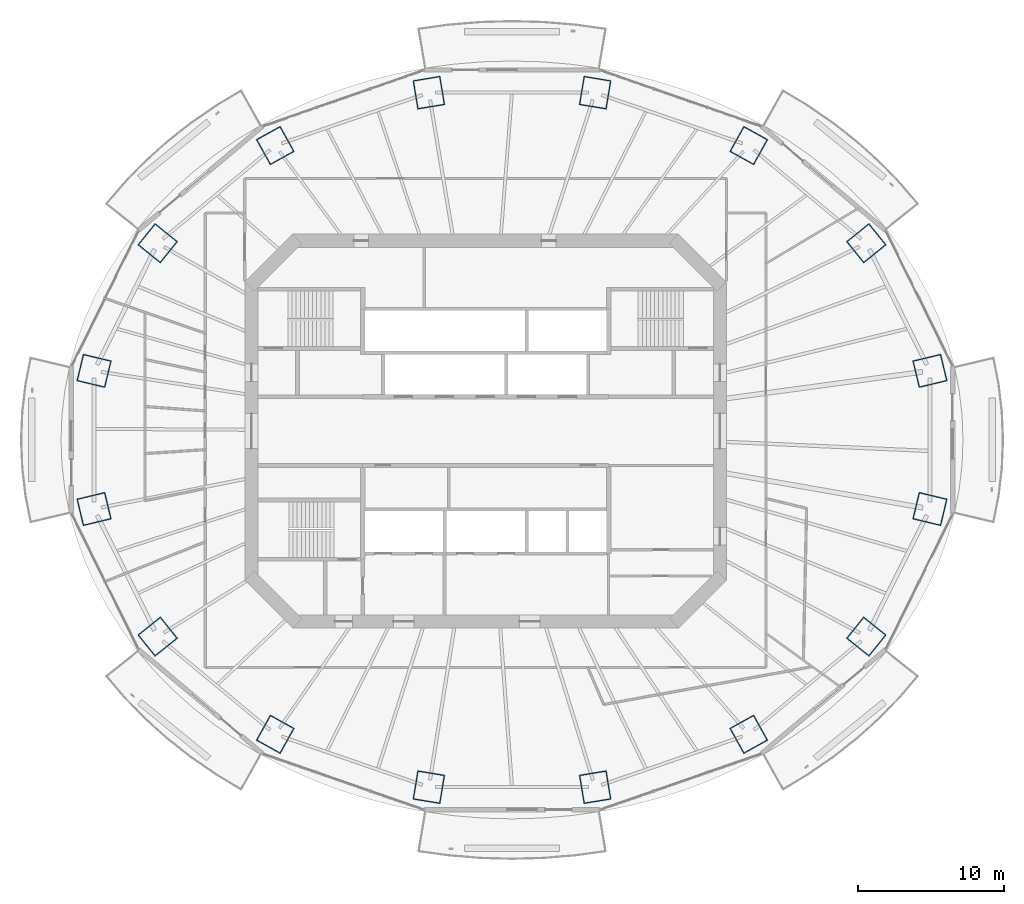
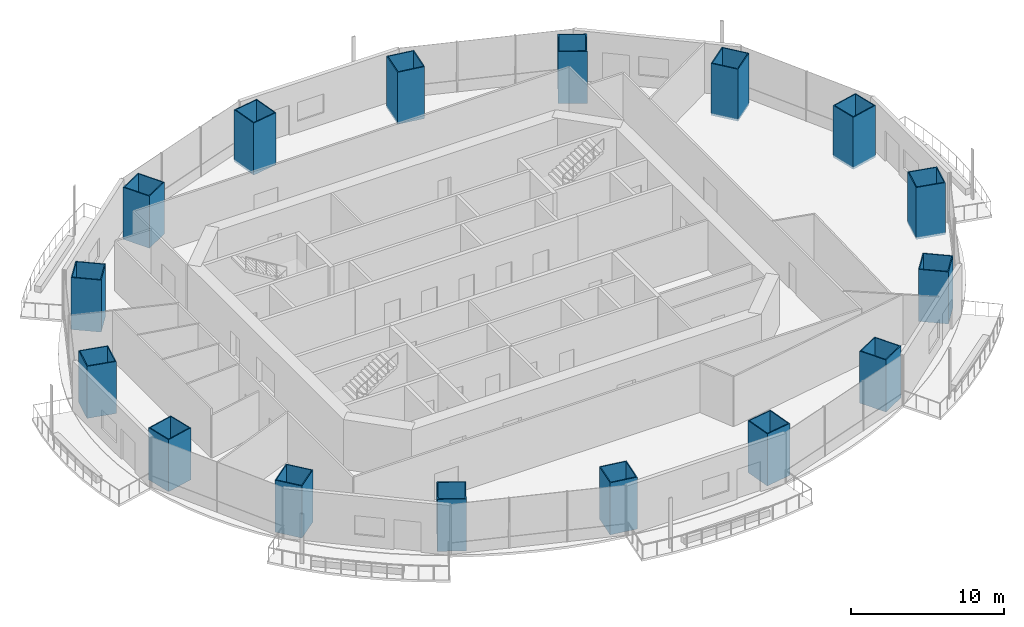
# One storey, part 1 of 19: 16 columns.
"""IFC4 building model written with IfcOpenShell, lengths in metres."""

from ifc_helpers import new_model, si_unit, direction, frame, origin, origin_2d, place, context, subcontext, project, spatial, rectangle, hollow_rectangle, extrude, material, material_profile, profile_set, type_object, element, save


model = new_model("IFC4")

# Units and contexts
model_context = context("Model", 3, precision=1e-05, world=origin(), true_north=direction((0.0, 1.0)))
body_context = subcontext(model_context, "Body", "Model", "MODEL_VIEW")
ifc_project = project(units=[si_unit("LENGTHUNIT", "METRE"), si_unit("AREAUNIT", "SQUARE_METRE"), si_unit("VOLUMEUNIT", "CUBIC_METRE"), si_unit("PLANEANGLEUNIT", "RADIAN"), si_unit("MASSUNIT", "GRAM", prefix="KILO")], contexts=[model_context])

# Site, building, storey
site_placement = place(None, origin())
site = spatial("IfcSite", under=ifc_project, at=site_placement, CompositionType="ELEMENT")
building_placement = place(site_placement, origin())
building = spatial("IfcBuilding", under=site, at=building_placement, Name="Marenthal Gate Tower", CompositionType="ELEMENT")
storey_placement = place(building_placement, frame((0.0, 0.0, 231.60009765625)))
storey = spatial("IfcBuildingStorey", under=building, at=storey_placement, Name="L51", CompositionType="ELEMENT", Elevation=231.60009765625)

# Columns
ifc_material_1 = material(Name="Steel S460", Category="steel")
ifc_material_profile_1 = material_profile(ifc_material_1, hollow_rectangle(XDim=1.89990234375, YDim=2.0, WallThickness=0.070068359375, at=origin_2d()), Name="CFT BOX 2000X1900X70")
ifc_material_2 = material(Name="Concrete 70 MPa", Category="concrete")
ifc_material_profile_2 = material_profile(ifc_material_2, rectangle(XDim=1.760009765625, YDim=1.860107421875, at=origin_2d()), Name="CFT BOX 2000X1900X70 INFILL")
ifc_profile_set = profile_set([ifc_material_profile_1, ifc_material_profile_2], Name="Steel S460 shell, Concrete 70 MPa infill")
column_type = type_object("IfcColumnType", Name="CFT BOX 2000X1900X70", PredefinedType="COLUMN", material=ifc_profile_set)
for number, where, z_axis, x_axis, name in (
    (1, (30.3486328125, 4.118408203125, -0.18017578125), (0.0, 0.0, 1.0), (0.232822478229, -0.972519251034, 0.0), "COL-L51-01"),
    (2, (26.00244140625, 12.83642578125, -0.18017578125), (0.0, 0.0, 1.0), (0.626684059922, -0.779273436632, 0.0), "COL-L51-02"),
    (3, (17.971435546875, 19.509033203125, -0.18017578125), (0.0, 0.0, 1.0), (0.87430051837, -0.485385005514, 0.0), "COL-L51-03"),
    (4, (7.478759765625, 23.120361328125, -0.18017578125), (0.0, 0.0, 1.0), (0.98661630943, -0.163059062814, 0.0), "COL-L51-04"),
    (5, (-3.878662109375, 23.120361328125, -0.18017578125), (0.0, 0.0, 1.0), (0.98661630943, 0.163059062814, 0.0), "COL-L51-05"),
    (6, (-14.37158203125, 19.509033203125, -0.18017578125), (0.0, 0.0, 1.0), (0.87430051837, 0.485385005514, 0.0), "COL-L51-06"),
    (7, (-22.40234375, 12.83642578125, -0.18017578125), (0.0, 0.0, 1.0), (0.626684059922, 0.779273436632, 0.0), "COL-L51-07"),
    (8, (-26.748779296875, 4.118408203125, -0.18017578125), (0.0, 0.0, 1.0), (0.232822478229, 0.972519251034, 0.0), "COL-L51-08"),
    (9, (-26.748779296875, -5.318359375, -0.18017578125), (0.0, 0.0, 1.0), (-0.232822478229, 0.972519251034, 0.0), "COL-L51-09"),
    (10, (-22.40234375, -14.03662109375, -0.18017578125), (0.0, 0.0, 1.0), (-0.626684059922, 0.779273436632, 0.0), "COL-L51-10"),
    (11, (-14.37158203125, -20.708984375, -0.18017578125), (0.0, 0.0, 1.0), (-0.87430051837, 0.485385005514, 0.0), "COL-L51-11"),
    (12, (-3.878662109375, -24.3203125, -0.18017578125), (0.0, 0.0, 1.0), (-0.98661630943, 0.163059062814, 0.0), "COL-L51-12"),
    (13, (7.478759765625, -24.3203125, -0.18017578125), (0.0, 0.0, 1.0), (-0.98661630943, -0.163059062814, 0.0), "COL-L51-13"),
    (14, (17.971435546875, -20.708984375, -0.18017578125), (0.0, 0.0, 1.0), (-0.87430051837, -0.485385005514, 0.0), "COL-L51-14"),
    (15, (26.00244140625, -14.03662109375, -0.18017578125), (0.0, 0.0, 1.0), (-0.626684059922, -0.779273436632, 0.0), "COL-L51-15"),
    (16, (30.3486328125, -5.318359375, -0.18017578125), (0.0, 0.0, 1.0), (-0.232822478229, -0.972519251034, 0.0), "COL-L51-16"),
):
    element("IfcColumn", number, at=place(storey_placement, frame(where, z_axis=z_axis, x_axis=x_axis)), inside=storey, type_object=column_type, Name=name, PredefinedType="COLUMN", context=body_context, shape_type="SweptSolid", body=[
        extrude(hollow_rectangle(XDim=1.89990234375, YDim=2.0, WallThickness=0.070068359375, at=origin_2d()), origin(), (0.0, 0.0, 1.0), 4.150146484375),
    ])

save(model, "model.ifc")
